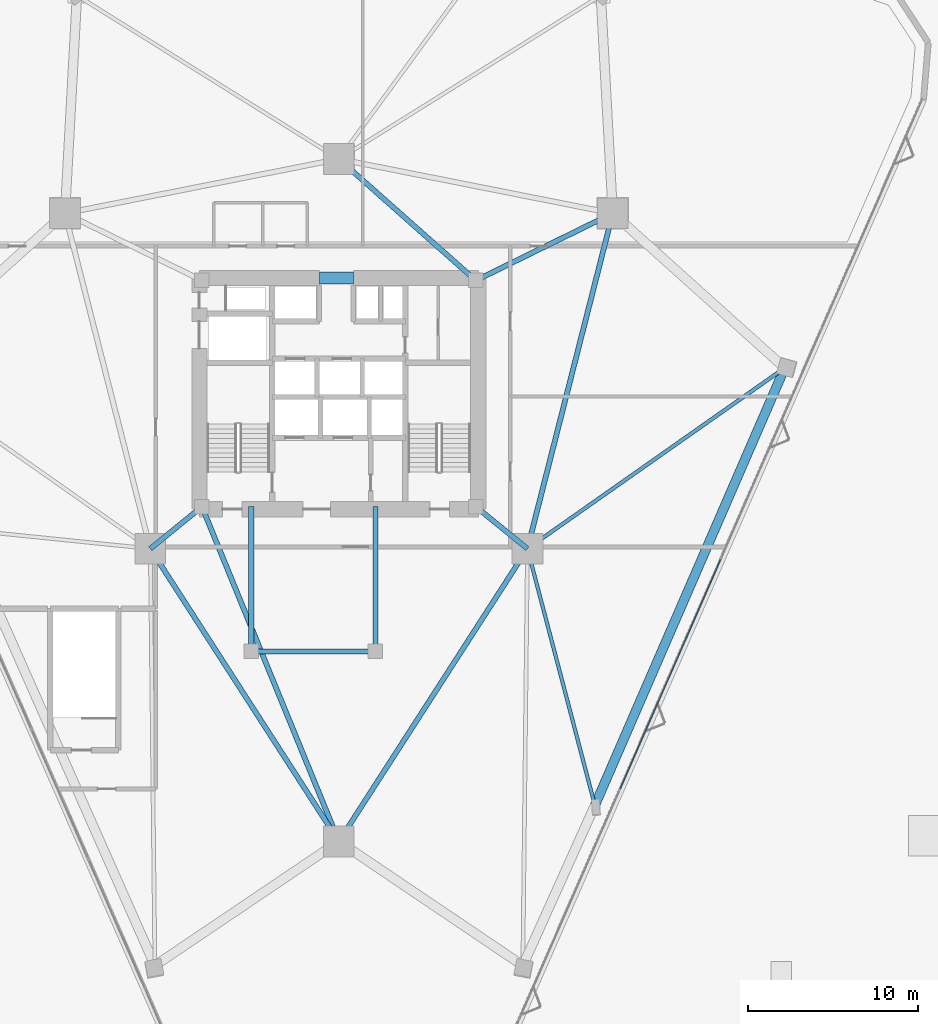
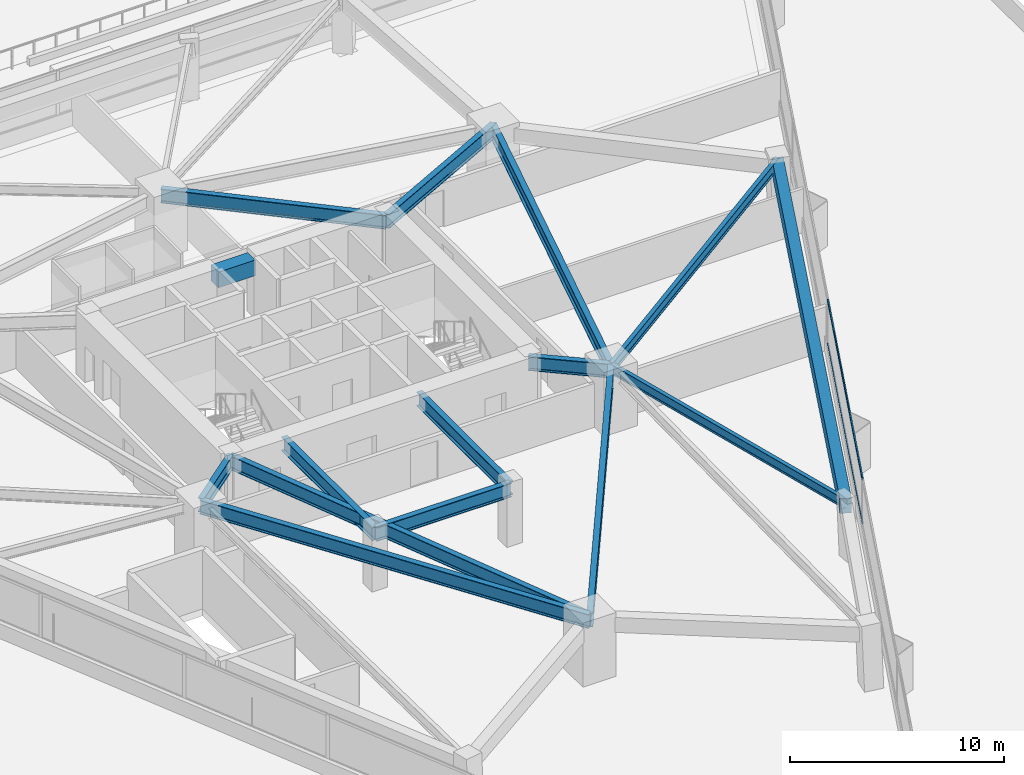
# One storey, part 7 of 21: 15 beams, 2 members, 1 element without a shape of its own.
"""IFC4 building model written with IfcOpenShell, lengths in metres."""

from ifc_helpers import new_model, si_unit, direction, frame, origin, origin_2d, place, context, subcontext, project, spatial, rectangle, i_section, extrude, material, layer, layer_set, material_profile, profile_set, type_object, element, aggregate, save


model = new_model("IFC4")

# Units and contexts
model_context = context("Model", 3, precision=1e-05, world=origin(), true_north=direction((0.0, 1.0)))
body_context = subcontext(model_context, "Body", "Model", "MODEL_VIEW")
ifc_project = project(units=[si_unit("LENGTHUNIT", "METRE"), si_unit("AREAUNIT", "SQUARE_METRE"), si_unit("VOLUMEUNIT", "CUBIC_METRE"), si_unit("PLANEANGLEUNIT", "RADIAN"), si_unit("MASSUNIT", "GRAM", prefix="KILO")], contexts=[model_context])

# Site, building, storey
site_placement = place(None, origin())
site = spatial("IfcSite", under=ifc_project, at=site_placement, CompositionType="ELEMENT")
building_placement = place(site_placement, origin())
building = spatial("IfcBuilding", under=site, at=building_placement, Name="Talyreon Biosciences Tower", CompositionType="ELEMENT")
storey_placement = place(building_placement, frame((0.0, 0.0, 22.800048828125)))
storey = spatial("IfcBuildingStorey", under=building, at=storey_placement, Name="L05", CompositionType="ELEMENT", Elevation=22.800048828125)

# Curtain wall, members
ifc_material_1 = material(Name="Thermally broken aluminium and low-E glazing", Category="aluminium")
ifc_layer = layer(ifc_material_1, 0.195068359375)
ifc_layer_set = layer_set([ifc_layer], Name="Thermally broken aluminium and low-E glazing")
curtain_wall_type = type_object("IfcCurtainWallType", Name="CurtainWall_Zone1WetLab", PredefinedType="NOTDEFINED", material=ifc_layer_set)
curtain_wall_placement = place(storey_placement, origin())
curtain_wall = element("IfcCurtainWall", 1, at=curtain_wall_placement, inside=storey, type_object=curtain_wall_type, Name="L05 Unitised Curtain Wall FCW-L05-08", PredefinedType="NOTDEFINED")
ifc_material_2 = material(Name="Anodised thermally broken aluminium", Category="aluminium")
ifc_material_profile_1 = material_profile(ifc_material_2, rectangle(XDim=0.06494140625, YDim=0.139892578125, at=origin_2d()), Name="ALUM TRANSOM 65x140")
ifc_profile_set_1 = profile_set([ifc_material_profile_1], Name="Anodised thermally broken aluminium")
member_type = type_object("IfcMemberType", Name="CWTransom_65x140", PredefinedType="USERDEFINED", material=ifc_profile_set_1)
member_1_placement = place(storey_placement, frame((88.443359375, 58.238525390625, 0.842529296875), z_axis=(-0.401345318485, -0.915926817672, 0.0), x_axis=(0.915926817672, -0.401345318485, 0.0)))
member_1 = element("IfcMember", 2, at=member_1_placement, type_object=member_type, Name="CW2 transom 3.1", ObjectType="TRANSOM", PredefinedType="USERDEFINED", context=body_context, shape_type="SweptSolid", body=[
    extrude(rectangle(XDim=0.06494140625, YDim=0.139892578125, at=origin_2d()), origin(), (0.0, 0.0, 1.0), 14.691162109375),
])
member_2_placement = place(storey_placement, frame((88.443359375, 58.238525390625, 3.342529296875), z_axis=(-0.401345318485, -0.915926817672, 0.0), x_axis=(0.915926817672, -0.401345318485, 0.0)))
member_2 = element("IfcMember", 3, at=member_2_placement, type_object=member_type, Name="CW2 transom 3.2", ObjectType="TRANSOM", PredefinedType="USERDEFINED", context=body_context, shape_type="SweptSolid", body=[
    extrude(rectangle(XDim=0.06494140625, YDim=0.139892578125, at=origin_2d()), origin(), (0.0, 0.0, 1.0), 14.691162109375),
])
aggregate(curtain_wall, [member_1, member_2])

# Beams
ifc_material_3 = material(Name="Concrete C60/75", Category="concrete")
ifc_material_profile_2 = material_profile(ifc_material_3, rectangle(XDim=0.699951171875, YDim=0.89990234375, at=origin_2d()), Name="RCB 700x900")
ifc_profile_set_2 = profile_set([ifc_material_profile_2], Name="Concrete C60/75")
beam_type_1 = type_object("IfcBeamType", Name="CoreCouplingLintel_700x900", PredefinedType="LINTEL", material=ifc_profile_set_2)
beam_1_placement = place(storey_placement, frame((64.85009765625, 74.800048828125, 2.925048828125), z_axis=(1.0, 0.0, 0.0), x_axis=(0.0, 1.0, 0.0)))
element("IfcBeam", 4, at=beam_1_placement, inside=storey, type_object=beam_type_1, Name="L05 Core Coupling Lintel", PredefinedType="LINTEL", context=body_context, shape_type="SweptSolid", body=[
    extrude(rectangle(XDim=0.699951171875, YDim=0.89990234375, at=origin_2d()), origin(), (0.0, 0.0, 1.0), 2.0),
])
ifc_material_4 = material(Name="Precast concrete C45/55", Category="concrete")
ifc_material_profile_3 = material_profile(ifc_material_4, rectangle(XDim=0.550048828125, YDim=0.85009765625, at=origin_2d()), Name="RCB 550x850")
ifc_profile_set_3 = profile_set([ifc_material_profile_3], Name="Precast concrete C45/55")
beam_type_2 = type_object("IfcBeamType", Name="ExpressedSpandrel_550x850", PredefinedType="SPANDREL", material=ifc_profile_set_3)
beam_2_placement = place(storey_placement, frame((81.053466796875, 43.790283203125, 2.949951171875), z_axis=(0.398070719578, 0.917354730851, 0.0), x_axis=(-0.917354730851, 0.398070719578, 0.0)))
element("IfcBeam", 5, at=beam_2_placement, inside=storey, type_object=beam_type_2, Name="L05 Expressed Horizontal Concrete Spandrel 03", PredefinedType="SPANDREL", context=body_context, shape_type="SweptSolid", body=[
    extrude(rectangle(XDim=0.550048828125, YDim=0.85009765625, at=origin_2d()), origin(), (0.0, 0.0, 1.0), 28.036865234375),
])
ifc_material_5 = material(Name="Steel SM355", Category="steel")
ifc_material_profile_4 = material_profile(ifc_material_5, i_section(OverallWidth=0.300048828125, OverallDepth=0.800048828125, WebThickness=0.017578125, FlangeThickness=0.032958984375, FilletRadius=0.030029296875, at=origin_2d()), Name="HE800B")
ifc_profile_set_4 = profile_set([ifc_material_profile_4], Name="Steel SM355")
beam_type_3 = type_object("IfcBeamType", Name="SteelGirder_HE800B", PredefinedType="BEAM", material=ifc_profile_set_4)
beam_3_placement = place(storey_placement, frame((66.0, 41.6669921875, 2.974853515625), z_axis=(0.541463723609, 0.840724114092, 0.0), x_axis=(-0.840724114092, 0.541463723609, 0.0)))
element("IfcBeam", 6, at=beam_3_placement, inside=storey, type_object=beam_type_3, Name="L05 Mega-Ring Girder 1", PredefinedType="BEAM", context=body_context, shape_type="SweptSolid", body=[
    extrude(i_section(OverallWidth=0.300048828125, OverallDepth=0.800048828125, WebThickness=0.017578125, FlangeThickness=0.032958984375, FilletRadius=0.030029296875, at=origin_2d()), origin(), (0.0, 0.0, 1.0), 20.474365234375),
])
beam_4_placement = place(storey_placement, frame((77.086181640625, 58.88037109375, 2.974853515625), z_axis=(0.246537082299, 0.969133358755, 0.0), x_axis=(-0.969133358755, 0.246537082299, 0.0)))
element("IfcBeam", 7, at=beam_4_placement, inside=storey, type_object=beam_type_3, Name="L05 Mega-Ring Girder 2", PredefinedType="BEAM", context=body_context, shape_type="SweptSolid", body=[
    extrude(i_section(OverallWidth=0.300048828125, OverallDepth=0.800048828125, WebThickness=0.017578125, FlangeThickness=0.032958984375, FilletRadius=0.030029296875, at=origin_2d()), origin(), (0.0, 0.0, 1.0), 20.34619140625),
])
beam_5_placement = place(storey_placement, frame((54.913818359375, 58.88037109375, 2.974853515625), z_axis=(0.541463723609, -0.840724114092, 0.0), x_axis=(0.840724114092, 0.541463723609, 0.0)))
element("IfcBeam", 8, at=beam_5_placement, inside=storey, type_object=beam_type_3, Name="L05 Mega-Ring Girder 6", PredefinedType="BEAM", context=body_context, shape_type="SweptSolid", body=[
    extrude(i_section(OverallWidth=0.300048828125, OverallDepth=0.800048828125, WebThickness=0.017578125, FlangeThickness=0.032958984375, FilletRadius=0.030029296875, at=origin_2d()), origin(), (0.0, 0.0, 1.0), 20.474365234375),
])
beam_6_placement = place(storey_placement, frame((57.949951171875, 61.35009765625, 2.974853515625), z_axis=(0.378547014545, -0.925582064314, 0.0), x_axis=(0.925582064314, 0.378547014545, 0.0)))
element("IfcBeam", 9, at=beam_6_placement, inside=storey, type_object=beam_type_3, Name="L05 Radial Primary Girder 1", PredefinedType="BEAM", context=body_context, shape_type="SweptSolid", body=[
    extrude(i_section(OverallWidth=0.300048828125, OverallDepth=0.800048828125, WebThickness=0.017578125, FlangeThickness=0.032958984375, FilletRadius=0.030029296875, at=origin_2d()), origin(), (0.0, 0.0, 1.0), 21.265625),
])
beam_7_placement = place(storey_placement, frame((74.050048828125, 61.35009765625, 2.974853515625), z_axis=(0.775755154013, -0.631034025249, 0.0), x_axis=(0.631034025249, 0.775755154013, 0.0)))
element("IfcBeam", 10, at=beam_7_placement, inside=storey, type_object=beam_type_3, Name="L05 Radial Primary Girder 2", PredefinedType="BEAM", context=body_context, shape_type="SweptSolid", body=[
    extrude(i_section(OverallWidth=0.300048828125, OverallDepth=0.800048828125, WebThickness=0.017578125, FlangeThickness=0.032958984375, FilletRadius=0.030029296875, at=origin_2d()), origin(), (0.0, 0.0, 1.0), 3.913818359375),
])
beam_8_placement = place(storey_placement, frame((74.050048828125, 74.64990234375, 2.974853515625), z_axis=(0.897852360314, 0.440296648952, 0.0), x_axis=(-0.440296648952, 0.897852360314, 0.0)))
element("IfcBeam", 11, at=beam_8_placement, inside=storey, type_object=beam_type_3, Name="L05 Radial Primary Girder 3", PredefinedType="BEAM", context=body_context, shape_type="SweptSolid", body=[
    extrude(i_section(OverallWidth=0.300048828125, OverallDepth=0.800048828125, WebThickness=0.017578125, FlangeThickness=0.032958984375, FilletRadius=0.030029296875, at=origin_2d()), origin(), (0.0, 0.0, 1.0), 8.96826171875),
])
beam_9_placement = place(storey_placement, frame((74.050048828125, 74.64990234375, 2.974853515625), z_axis=(-0.748178733955, 0.663497235908, 0.0), x_axis=(-0.663497235908, -0.748178733955, 0.0)))
element("IfcBeam", 12, at=beam_9_placement, inside=storey, type_object=beam_type_3, Name="L05 Radial Primary Girder 4", PredefinedType="BEAM", context=body_context, shape_type="SweptSolid", body=[
    extrude(i_section(OverallWidth=0.300048828125, OverallDepth=0.800048828125, WebThickness=0.017578125, FlangeThickness=0.032958984375, FilletRadius=0.030029296875, at=origin_2d()), origin(), (0.0, 0.0, 1.0), 10.759521484375),
])
beam_10_placement = place(storey_placement, frame((57.949951171875, 61.35009765625, 2.974853515625), z_axis=(-0.775755154013, -0.631034025249, 0.0), x_axis=(0.631034025249, -0.775755154013, 0.0)))
element("IfcBeam", 13, at=beam_10_placement, inside=storey, type_object=beam_type_3, Name="L05 Radial Primary Girder 6", PredefinedType="BEAM", context=body_context, shape_type="SweptSolid", body=[
    extrude(i_section(OverallWidth=0.300048828125, OverallDepth=0.800048828125, WebThickness=0.017578125, FlangeThickness=0.032958984375, FilletRadius=0.030029296875, at=origin_2d()), origin(), (0.0, 0.0, 1.0), 3.913818359375),
])
beam_11_placement = place(storey_placement, frame((60.85009765625, 52.840087890625, 2.974853515625), z_axis=(1.0, 0.0, 0.0), x_axis=(0.0, 1.0, 0.0)))
element("IfcBeam", 14, at=beam_11_placement, inside=storey, type_object=beam_type_3, Name="L05 Crown Shaft Spine Girder S", PredefinedType="BEAM", context=body_context, shape_type="SweptSolid", body=[
    extrude(i_section(OverallWidth=0.300048828125, OverallDepth=0.800048828125, WebThickness=0.017578125, FlangeThickness=0.032958984375, FilletRadius=0.030029296875, at=origin_2d()), origin(), (0.0, 0.0, 1.0), 7.2998046875),
])
for number, where, z_axis, x_axis, name in (
    (15, (60.85009765625, 52.840087890625, 2.974853515625), (0.0, 1.0, 0.0), (-1.0, 0.0, 0.0), "L05 Crown Shaft Tie Girder W"),
    (16, (68.14990234375, 52.840087890625, 2.974853515625), (0.0, 1.0, 0.0), (-1.0, 0.0, 0.0), "L05 Crown Shaft Tie Girder E"),
):
    element("IfcBeam", number, at=place(storey_placement, frame(where, z_axis=z_axis, x_axis=x_axis)), inside=storey, type_object=beam_type_3, Name=name, PredefinedType="BEAM", context=body_context, shape_type="SweptSolid", body=[
        extrude(i_section(OverallWidth=0.300048828125, OverallDepth=0.800048828125, WebThickness=0.017578125, FlangeThickness=0.032958984375, FilletRadius=0.030029296875, at=origin_2d()), origin(), (0.0, 0.0, 1.0), 8.510009765625),
    ])
ifc_material_profile_5 = material_profile(ifc_material_5, i_section(OverallWidth=0.2099609375, OverallDepth=0.550048828125, WebThickness=0.010986328125, FlangeThickness=0.01708984375, FilletRadius=0.02392578125, at=origin_2d()), Name="IPE550")
ifc_profile_set_5 = profile_set([ifc_material_profile_5], Name="Steel SM355")
beam_type_4 = type_object("IfcBeamType", Name="SteelJoist_IPE550", PredefinedType="JOIST", material=ifc_profile_set_5)
beam_12_placement = place(storey_placement, frame((77.086181640625, 58.88037109375, 3.099853515625), z_axis=(0.25426608438, -0.967134302118, 0.0), x_axis=(0.967134302118, 0.25426608438, 0.0)))
element("IfcBeam", 17, at=beam_12_placement, inside=storey, type_object=beam_type_4, Name="L05 Radial Composite Floor Joist PL-SE", PredefinedType="JOIST", context=body_context, shape_type="SweptSolid", body=[
    extrude(i_section(OverallWidth=0.2099609375, OverallDepth=0.550048828125, WebThickness=0.010986328125, FlangeThickness=0.01708984375, FilletRadius=0.02392578125, at=origin_2d()), origin(), (0.0, 0.0, 1.0), 15.602783203125),
])
ifc_material_profile_6 = material_profile(ifc_material_5, i_section(OverallWidth=0.219970703125, OverallDepth=0.60009765625, WebThickness=0.011962890625, FlangeThickness=0.01904296875, FilletRadius=0.02392578125, at=origin_2d()), Name="IPE600")
ifc_profile_set_6 = profile_set([ifc_material_profile_6], Name="Steel SM355")
beam_type_5 = type_object("IfcBeamType", Name="SteelJoist_IPE600", PredefinedType="JOIST", material=ifc_profile_set_6)
beam_13_placement = place(storey_placement, frame((77.086181640625, 58.88037109375, 3.074951171875), z_axis=(0.81821201018, 0.574916608212, 0.0), x_axis=(-0.574916608212, 0.81821201018, 0.0)))
element("IfcBeam", 18, at=beam_13_placement, inside=storey, type_object=beam_type_5, Name="L05 Radial Composite Floor Joist PC-SE2", PredefinedType="JOIST", context=body_context, shape_type="SweptSolid", body=[
    extrude(i_section(OverallWidth=0.219970703125, OverallDepth=0.60009765625, WebThickness=0.011962890625, FlangeThickness=0.01904296875, FilletRadius=0.02392578125, at=origin_2d()), origin(), (0.0, 0.0, 1.0), 18.489013671875),
])

save(model, "model.ifc")
